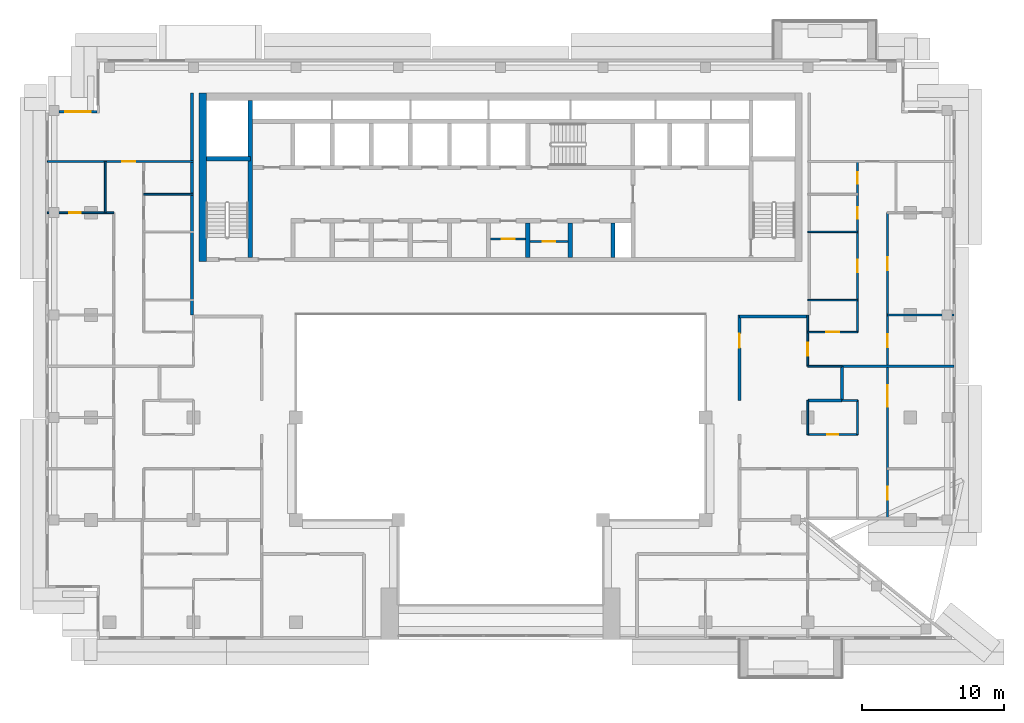
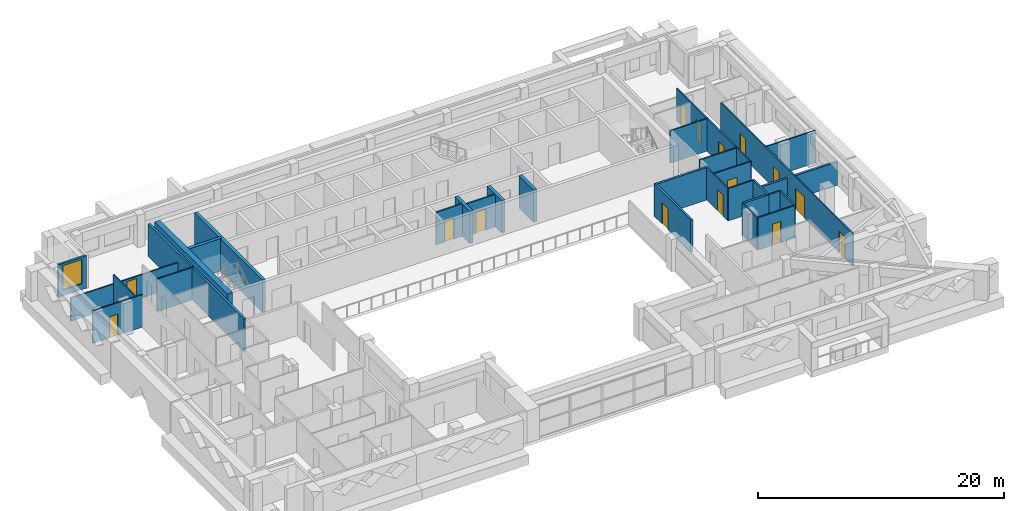
# One storey, part 9 of 19: 31 walls, 15 doors, 1 window, 16 openings.
"""IFC4 building model written with IfcOpenShell, lengths in metres."""

from ifc_helpers import new_model, si_unit, direction, frame, frame_2d, origin, place, context, subcontext, project, spatial, rectangle, extrude, material, layer, layer_set, type_object, element, fill, save


model = new_model("IFC4")

# Units and contexts
model_context = context("Model", 3, precision=1e-05, world=origin(), true_north=direction((0.0, 1.0)))
body_context = subcontext(model_context, "Body", "Model", "MODEL_VIEW")
ifc_project = project(units=[si_unit("LENGTHUNIT", "METRE"), si_unit("AREAUNIT", "SQUARE_METRE"), si_unit("VOLUMEUNIT", "CUBIC_METRE"), si_unit("PLANEANGLEUNIT", "RADIAN"), si_unit("MASSUNIT", "GRAM", prefix="KILO")], contexts=[model_context])

# Site, building, storey
site_placement = place(None, origin())
site = spatial("IfcSite", under=ifc_project, at=site_placement, CompositionType="ELEMENT")
building_placement = place(site_placement, origin())
building = spatial("IfcBuilding", under=site, at=building_placement, Name="Saffron Iwan Residences", CompositionType="ELEMENT")
storey_placement = place(building_placement, frame((0.0, 0.0, 215.0)))
storey = spatial("IfcBuildingStorey", under=building, at=storey_placement, Name="L57", CompositionType="ELEMENT", Elevation=215.0)

# Wall, opening, door
ifc_material_1 = material(Name="Fire-rated plasterboard partition")
ifc_layer_1 = layer(ifc_material_1, 0.14990234375)
ifc_layer_set_1 = layer_set([ifc_layer_1], Name="Fire-rated plasterboard partition")
wall_type_1 = type_object("IfcWallType", Name="Core partition 150", PredefinedType="PARTITIONING", material=ifc_layer_set_1)
wall_1_placement = place(storey_placement, frame((49.699951171875, 67.759521484375, 0.0), z_axis=(0.0, 0.0, 1.0), x_axis=(1.0, 0.0, 0.0)))
wall_1 = element("IfcWall", 1, at=wall_1_placement, inside=storey, type_object=wall_type_1, Name="Core partition P04", PredefinedType="PARTITIONING", context=body_context, shape_type="SweptSolid", body=[
    extrude(rectangle(XDim=2.449951171875, YDim=0.14990234375, at=frame_2d((1.22509765625, 0.0))), origin(), (0.0, 0.0, 1.0), 3.219970703125),
])
opening_1_placement = place(wall_1_placement, frame((0.77490234375, 0.0, 0.0)))
opening_1 = element("IfcOpeningElement", 2, at=opening_1_placement, cuts=wall_1, Name="Opening SB", PredefinedType="OPENING", context=body_context, shape_type="SweptSolid", body=[
    extrude(rectangle(XDim=0.89990234375, YDim=2.10009765625, at=frame_2d((0.449951171875, 1.050048828125))), frame((0.0, 0.0849609375, 0.0), z_axis=(0.0, -1.0, 0.0), x_axis=(1.0, 0.0, 0.0)), (0.0, 0.0, 1.0), 0.169921875),
])
ifc_material_2 = material(Name="Steel fire door", Category="steel")
door_type_1 = type_object("IfcDoorType", Name="Store door 900", OperationType="NOTDEFINED", PredefinedType="DOOR", material=ifc_material_2)
door_1_placement = place(opening_1_placement, origin())
door_1 = element("IfcDoor", 3, at=door_1_placement, inside=storey, type_object=door_type_1, Name="Door Equipment store", OperationType="SINGLE_SWING_RIGHT", OverallHeight=2.10009765625, OverallWidth=0.89990234375, PredefinedType="DOOR", context=body_context, shape_type="SweptSolid", body=[
    extrude(rectangle(XDim=0.89990234375, YDim=2.10009765625, at=frame_2d((0.449951171875, 1.050048828125))), frame((0.0, 0.02490234375, 0.0), z_axis=(0.0, -1.0, 0.0), x_axis=(1.0, 0.0, 0.0)), (0.0, 0.0, 1.0), 0.050048828125),
])
fill(opening_1, door_1)

wall_2_placement = place(storey_placement, frame((52.449951171875, 67.5654296875, 0.0), z_axis=(0.0, 0.0, 1.0), x_axis=(1.0, 0.0, 0.0)))
wall_2 = element("IfcWall", 4, at=wall_2_placement, inside=storey, type_object=wall_type_1, Name="Core partition P05", PredefinedType="PARTITIONING", context=body_context, shape_type="SweptSolid", body=[
    extrude(rectangle(XDim=2.699951171875, YDim=0.14990234375, at=frame_2d((1.35009765625, 0.0))), origin(), (0.0, 0.0, 1.0), 3.219970703125),
])
opening_2_placement = place(wall_2_placement, frame((0.89990234375, 0.0, 0.0)))
opening_2 = element("IfcOpeningElement", 5, at=opening_2_placement, cuts=wall_2, Name="Opening SB", PredefinedType="OPENING", context=body_context, shape_type="SweptSolid", body=[
    extrude(rectangle(XDim=0.89990234375, YDim=2.10009765625, at=frame_2d((0.449951171875, 1.050048828125))), frame((0.0, 0.0849609375, 0.0), z_axis=(0.0, -1.0, 0.0), x_axis=(1.0, 0.0, 0.0)), (0.0, 0.0, 1.0), 0.169921875),
])
door_2_placement = place(opening_2_placement, origin())
door_2 = element("IfcDoor", 6, at=door_2_placement, inside=storey, type_object=door_type_1, Name="Door Records store", OperationType="SINGLE_SWING_RIGHT", OverallHeight=2.10009765625, OverallWidth=0.89990234375, PredefinedType="DOOR", context=body_context, shape_type="SweptSolid", body=[
    extrude(rectangle(XDim=0.89990234375, YDim=2.10009765625, at=frame_2d((0.449951171875, 1.050048828125))), frame((0.0, 0.02490234375, 0.0), z_axis=(0.0, -1.0, 0.0), x_axis=(1.0, 0.0, 0.0)), (0.0, 0.0, 1.0), 0.050048828125),
])
fill(opening_2, door_2)

# Wall, opening, window
ifc_material_3 = material(Name="Concrete C40/50", Category="concrete")
ifc_layer_2 = layer(ifc_material_3, 0.199951171875)
ifc_layer_set_2 = layer_set([ifc_layer_2], Name="Concrete C40/50")
wall_type_2 = type_object("IfcWallType", Name="EXTERNAL WALL 200", PredefinedType="SOLIDWALL", material=ifc_layer_set_2)
wall_3_placement = place(storey_placement, frame((22.0, 76.699951171875, 0.0), z_axis=(0.0, 0.0, 1.0), x_axis=(-1.0, 0.0, 0.0)))
wall_3 = element("IfcWall", 7, at=wall_3_placement, inside=storey, type_object=wall_type_2, Name="External wall L57 F7.0", PredefinedType="SOLIDWALL", context=body_context, shape_type="SweptSolid", body=[
    extrude(rectangle(XDim=2.64990234375, YDim=0.199951171875, at=frame_2d((1.324951171875, 0.0))), origin(), (0.0, 0.0, 1.0), 3.219970703125),
])
opening_3_placement = place(wall_3_placement, frame((0.425048828125, 0.0, 0.60009765625)))
opening_3 = element("IfcOpeningElement", 8, at=opening_3_placement, cuts=wall_3, Name="Opening W8", PredefinedType="OPENING", context=body_context, shape_type="SweptSolid", body=[
    extrude(rectangle(XDim=1.800048828125, YDim=2.39990234375, at=frame_2d((0.89990234375, 1.199951171875))), frame((0.0, 0.10986328125, 0.0), z_axis=(0.0, -1.0, 0.0), x_axis=(1.0, 0.0, 0.0)), (0.0, 0.0, 1.0), 0.219970703125),
])
ifc_material_4 = material(Name="Clear glass, laminated double glazed", Category="glass")
window_type = type_object("IfcWindowType", Name="WINDOW 1800 x 2400", PartitioningType="DOUBLE_PANEL_VERTICAL", PredefinedType="WINDOW", material=ifc_material_4)
window_placement = place(opening_3_placement, origin())
window = element("IfcWindow", 9, at=window_placement, inside=storey, type_object=window_type, Name="Window L57 F7.0", OverallHeight=2.39990234375, OverallWidth=1.800048828125, PartitioningType="DOUBLE_PANEL_VERTICAL", PredefinedType="WINDOW", context=body_context, shape_type="SweptSolid", body=[
    extrude(rectangle(XDim=1.800048828125, YDim=2.39990234375, at=frame_2d((0.89990234375, 1.199951171875))), frame((0.0, 0.030029296875, 0.0), z_axis=(0.0, -1.0, 0.0), x_axis=(1.0, 0.0, 0.0)), (0.0, 0.0, 1.0), 0.06005859375),
])
fill(opening_3, window)

# Walls
ifc_material_5 = material(Name="Fire-rated gypsum board wall")
ifc_layer_3 = layer(ifc_material_5, 0.199951171875)
ifc_layer_set_3 = layer_set([ifc_layer_3], Name="Fire-rated gypsum board wall")
wall_type_3 = type_object("IfcWallType", Name="Flat demising wall 200", PredefinedType="SOLIDWALL", material=ifc_layer_set_3)
wall_4_placement = place(storey_placement, frame((72.0, 56.39990234375, 0.0), z_axis=(0.0, 0.0, 1.0), x_axis=(1.0, 0.0, 0.0)))
element("IfcWall", 10, at=wall_4_placement, inside=storey, type_object=wall_type_3, Name="W-L57-DEMISE-h56.4-72", PredefinedType="SOLIDWALL", context=body_context, shape_type="SweptSolid", body=[
    extrude(rectangle(XDim=2.39990234375, YDim=0.199951171875, at=frame_2d((1.199951171875, 0.0))), origin(), (0.0, 0.0, 1.0), 3.219970703125),
])
wall_5_placement = place(storey_placement, frame((74.39990234375, 58.800048828125, 0.0), z_axis=(0.0, 0.0, 1.0), x_axis=(1.0, 0.0, 0.0)))
element("IfcWall", 11, at=wall_5_placement, inside=storey, type_object=wall_type_3, Name="W-L57-DEMISE-h58.8-74.4", PredefinedType="SOLIDWALL", context=body_context, shape_type="SweptSolid", body=[
    extrude(rectangle(XDim=7.875, YDim=0.199951171875, at=frame_2d((3.9375, 0.0))), origin(), (0.0, 0.0, 1.0), 2.320068359375),
])
wall_6_placement = place(storey_placement, frame((74.39990234375, 56.39990234375, 0.0), z_axis=(0.0, 0.0, 1.0), x_axis=(0.0, 1.0, 0.0)))
element("IfcWall", 12, at=wall_6_placement, inside=storey, type_object=wall_type_3, Name="W-L57-DEMISE-v74.4-56.4", PredefinedType="SOLIDWALL", context=body_context, shape_type="SweptSolid", body=[
    extrude(rectangle(XDim=2.400146484375, YDim=0.199951171875, at=frame_2d((1.2001953125, 0.0))), origin(), (0.0, 0.0, 1.0), 3.219970703125),
])

# Wall, opening, door
ifc_material_6 = material(Name="Gypsum board partition")
ifc_layer_4 = layer(ifc_material_6, 0.1201171875)
ifc_layer_set_4 = layer_set([ifc_layer_4], Name="Gypsum board partition")
wall_type_4 = type_object("IfcWallType", Name="Flat partition 120", PredefinedType="PARTITIONING", material=ifc_layer_set_4)
wall_7_placement = place(storey_placement, frame((72.0, 54.0, 0.0), z_axis=(0.0, 0.0, 1.0), x_axis=(1.0, 0.0, 0.0)))
wall_7 = element("IfcWall", 13, at=wall_7_placement, inside=storey, type_object=wall_type_4, Name="W-L57-PART-h54-72", PredefinedType="PARTITIONING", context=body_context, shape_type="SweptSolid", body=[
    extrude(rectangle(XDim=3.5, YDim=0.1201171875, at=frame_2d((1.75, 0.0))), origin(), (0.0, 0.0, 1.0), 3.219970703125),
])
opening_4_placement = place(wall_7_placement, frame((1.35009765625, 0.0, 0.0)))
opening_4 = element("IfcOpeningElement", 14, at=opening_4_placement, cuts=wall_7, Name="Opening FD3", PredefinedType="OPENING", context=body_context, shape_type="SweptSolid", body=[
    extrude(rectangle(XDim=0.800048828125, YDim=2.10009765625, at=frame_2d((0.39990234375, 1.050048828125))), frame((0.0, 0.070068359375, 0.0), z_axis=(0.0, -1.0, 0.0), x_axis=(1.0, 0.0, 0.0)), (0.0, 0.0, 1.0), 0.14013671875),
])
ifc_material_7 = material(Name="Timber door", Category="wood")
door_type_2 = type_object("IfcDoorType", Name="Bathroom door 800", OperationType="NOTDEFINED", PredefinedType="DOOR", material=ifc_material_7)
door_3_placement = place(opening_4_placement, origin())
door_3 = element("IfcDoor", 15, at=door_3_placement, inside=storey, type_object=door_type_2, Name="Door L57-018", OperationType="SINGLE_SWING_LEFT", OverallHeight=2.10009765625, OverallWidth=0.800048828125, PredefinedType="DOOR", context=body_context, shape_type="SweptSolid", body=[
    extrude(rectangle(XDim=0.800048828125, YDim=2.10009765625, at=frame_2d((0.39990234375, 1.050048828125))), frame((0.0, 0.02490234375, 0.0), z_axis=(0.0, -1.0, 0.0), x_axis=(1.0, 0.0, 0.0)), (0.0, 0.0, 1.0), 0.050048828125),
])
fill(opening_4, door_3)

# Walls
wall_8_placement = place(storey_placement, frame((74.39990234375, 56.39990234375, 0.0), z_axis=(0.0, 0.0, 1.0), x_axis=(1.0, 0.0, 0.0)))
element("IfcWall", 16, at=wall_8_placement, inside=storey, type_object=wall_type_4, Name="W-L57-PART-h56.4-74.4", PredefinedType="PARTITIONING", context=body_context, shape_type="SweptSolid", body=[
    extrude(rectangle(XDim=1.10009765625, YDim=0.1201171875, at=frame_2d((0.550048828125, 0.0))), origin(), (0.0, 0.0, 1.0), 3.219970703125),
])
wall_9_placement = place(storey_placement, frame((72.0, 58.800048828125, 0.0), z_axis=(0.0, 0.0, 1.0), x_axis=(1.0, 0.0, 0.0)))
element("IfcWall", 17, at=wall_9_placement, inside=storey, type_object=wall_type_4, Name="W-L57-PART-h58.8-72", PredefinedType="PARTITIONING", context=body_context, shape_type="SweptSolid", body=[
    extrude(rectangle(XDim=2.39990234375, YDim=0.1201171875, at=frame_2d((1.199951171875, 0.0))), origin(), (0.0, 0.0, 1.0), 3.219970703125),
])

# Wall, opening, door
wall_10_placement = place(storey_placement, frame((72.0, 61.199951171875, 0.0), z_axis=(0.0, 0.0, 1.0), x_axis=(1.0, 0.0, 0.0)))
wall_10 = element("IfcWall", 18, at=wall_10_placement, inside=storey, type_object=wall_type_4, Name="W-L57-PART-h61.2-72", PredefinedType="PARTITIONING", context=body_context, shape_type="SweptSolid", body=[
    extrude(rectangle(XDim=3.5, YDim=0.1201171875, at=frame_2d((1.75, 0.0))), origin(), (0.0, 0.0, 1.0), 3.219970703125),
])
opening_5_placement = place(wall_10_placement, frame((1.300048828125, 0.0, 0.0)))
opening_5 = element("IfcOpeningElement", 19, at=opening_5_placement, cuts=wall_10, Name="Opening FD2", PredefinedType="OPENING", context=body_context, shape_type="SweptSolid", body=[
    extrude(rectangle(XDim=0.89990234375, YDim=2.10009765625, at=frame_2d((0.449951171875, 1.050048828125))), frame((0.0, 0.070068359375, 0.0), z_axis=(0.0, -1.0, 0.0), x_axis=(1.0, 0.0, 0.0)), (0.0, 0.0, 1.0), 0.14013671875),
])
door_type_3 = type_object("IfcDoorType", Name="Flat door 900", OperationType="NOTDEFINED", PredefinedType="DOOR", material=ifc_material_7)
door_4_placement = place(opening_5_placement, origin())
door_4 = element("IfcDoor", 20, at=door_4_placement, inside=storey, type_object=door_type_3, Name="Door L57-036", OperationType="SINGLE_SWING_LEFT", OverallHeight=2.10009765625, OverallWidth=0.89990234375, PredefinedType="DOOR", context=body_context, shape_type="SweptSolid", body=[
    extrude(rectangle(XDim=0.89990234375, YDim=2.10009765625, at=frame_2d((0.449951171875, 1.050048828125))), frame((0.0, 0.02490234375, 0.0), z_axis=(0.0, -1.0, 0.0), x_axis=(1.0, 0.0, 0.0)), (0.0, 0.0, 1.0), 0.050048828125),
])
fill(opening_5, door_4)

# Walls
wall_11_placement = place(storey_placement, frame((77.60009765625, 62.39990234375, 0.0), z_axis=(0.0, 0.0, 1.0), x_axis=(1.0, 0.0, 0.0)))
element("IfcWall", 21, at=wall_11_placement, inside=storey, type_object=wall_type_4, Name="W-L57-PART-h62.4-77.6", PredefinedType="PARTITIONING", context=body_context, shape_type="SweptSolid", body=[
    extrude(rectangle(XDim=4.6748046875, YDim=0.1201171875, at=frame_2d((2.33740234375, 0.0))), origin(), (0.0, 0.0, 1.0), 3.219970703125),
])
for number, where, z_axis, x_axis, name in (
    (22, (72.0, 63.449951171875, 0.0), (0.0, 0.0, 1.0), (1.0, 0.0, 0.0), "W-L57-PART-h63.45-72"),
    (23, (72.0, 68.25, 0.0), (0.0, 0.0, 1.0), (1.0, 0.0, 0.0), "W-L57-PART-h68.25-72"),
):
    element("IfcWall", number, at=place(storey_placement, frame(where, z_axis=z_axis, x_axis=x_axis)), inside=storey, type_object=wall_type_4, Name=name, PredefinedType="PARTITIONING", context=body_context, shape_type="SweptSolid", body=[
        extrude(rectangle(XDim=3.5, YDim=0.1201171875, at=frame_2d((1.75, 0.0))), origin(), (0.0, 0.0, 1.0), 3.219970703125),
    ])

# Wall, opening, door
wall_12_placement = place(storey_placement, frame((18.52490234375, 69.60009765625, 0.0), z_axis=(0.0, 0.0, 1.0), x_axis=(1.0, 0.0, 0.0)))
wall_12 = element("IfcWall", 24, at=wall_12_placement, inside=storey, type_object=wall_type_4, Name="W-L57-PART-h69.6-18.525", PredefinedType="PARTITIONING", context=body_context, shape_type="SweptSolid", body=[
    extrude(rectangle(XDim=4.675048828125, YDim=0.1201171875, at=frame_2d((2.33740234375, 0.0))), origin(), (0.0, 0.0, 1.0), 3.219970703125),
])
opening_6_placement = place(wall_12_placement, frame((1.53759765625, 0.0, 0.0)))
opening_6 = element("IfcOpeningElement", 25, at=opening_6_placement, cuts=wall_12, Name="Opening FD3", PredefinedType="OPENING", context=body_context, shape_type="SweptSolid", body=[
    extrude(rectangle(XDim=0.800048828125, YDim=2.10009765625, at=frame_2d((0.39990234375, 1.050048828125))), frame((0.0, 0.070068359375, 0.0), z_axis=(0.0, -1.0, 0.0), x_axis=(1.0, 0.0, 0.0)), (0.0, 0.0, 1.0), 0.14013671875),
])
door_5_placement = place(opening_6_placement, origin())
door_5 = element("IfcDoor", 26, at=door_5_placement, inside=storey, type_object=door_type_2, Name="Door L57-024", OperationType="SINGLE_SWING_RIGHT", OverallHeight=2.10009765625, OverallWidth=0.800048828125, PredefinedType="DOOR", context=body_context, shape_type="SweptSolid", body=[
    extrude(rectangle(XDim=0.800048828125, YDim=2.10009765625, at=frame_2d((0.39990234375, 1.050048828125))), frame((0.0, 0.02490234375, 0.0), z_axis=(0.0, -1.0, 0.0), x_axis=(1.0, 0.0, 0.0)), (0.0, 0.0, 1.0), 0.050048828125),
])
fill(opening_6, door_5)

# Wall
wall_13_placement = place(storey_placement, frame((25.300048828125, 70.89990234375, 0.0), z_axis=(0.0, 0.0, 1.0), x_axis=(1.0, 0.0, 0.0)))
element("IfcWall", 27, at=wall_13_placement, inside=storey, type_object=wall_type_4, Name="W-L57-PART-h70.9-25.3", PredefinedType="PARTITIONING", context=body_context, shape_type="SweptSolid", body=[
    extrude(rectangle(XDim=3.5, YDim=0.1201171875, at=frame_2d((1.75, 0.0))), origin(), (0.0, 0.0, 1.0), 3.219970703125),
])

# Wall, opening, door
wall_14_placement = place(storey_placement, frame((18.52490234375, 73.199951171875, 0.0), z_axis=(0.0, 0.0, 1.0), x_axis=(1.0, 0.0, 0.0)))
wall_14 = element("IfcWall", 28, at=wall_14_placement, inside=storey, type_object=wall_type_4, Name="W-L57-PART-h73.2-18.525", PredefinedType="PARTITIONING", context=body_context, shape_type="SweptSolid", body=[
    extrude(rectangle(XDim=10.275146484375, YDim=0.1201171875, at=frame_2d((5.1376953125, 0.0))), origin(), (0.0, 0.0, 1.0), 2.320068359375),
])
opening_7_placement = place(wall_14_placement, frame((5.27490234375, 0.0, 0.0)))
opening_7 = element("IfcOpeningElement", 29, at=opening_7_placement, cuts=wall_14, Name="Opening FD2", PredefinedType="OPENING", context=body_context, shape_type="SweptSolid", body=[
    extrude(rectangle(XDim=0.89990234375, YDim=2.10009765625, at=frame_2d((0.449951171875, 1.050048828125))), frame((0.0, 0.070068359375, 0.0), z_axis=(0.0, -1.0, 0.0), x_axis=(1.0, 0.0, 0.0)), (0.0, 0.0, 1.0), 0.14013671875),
])
door_6_placement = place(opening_7_placement, origin())
door_6 = element("IfcDoor", 30, at=door_6_placement, inside=storey, type_object=door_type_3, Name="Door L57-025", OperationType="SINGLE_SWING_RIGHT", OverallHeight=2.10009765625, OverallWidth=0.89990234375, PredefinedType="DOOR", context=body_context, shape_type="SweptSolid", body=[
    extrude(rectangle(XDim=0.89990234375, YDim=2.10009765625, at=frame_2d((0.449951171875, 1.050048828125))), frame((0.0, 0.02490234375, 0.0), z_axis=(0.0, -1.0, 0.0), x_axis=(1.0, 0.0, 0.0)), (0.0, 0.0, 1.0), 0.050048828125),
])
fill(opening_7, door_6)

# Walls
wall_15_placement = place(storey_placement, frame((22.60009765625, 69.60009765625, 0.0), z_axis=(0.0, 0.0, 1.0), x_axis=(0.0, 1.0, 0.0)))
element("IfcWall", 31, at=wall_15_placement, inside=storey, type_object=wall_type_4, Name="W-L57-PART-v22.6-69.6", PredefinedType="PARTITIONING", context=body_context, shape_type="SweptSolid", body=[
    extrude(rectangle(XDim=3.599853515625, YDim=0.1201171875, at=frame_2d((1.7998046875, 0.0))), origin(), (0.0, 0.0, 1.0), 3.219970703125),
])
wall_16_placement = place(storey_placement, frame((72.0, 54.0, 0.0), z_axis=(0.0, 0.0, 1.0), x_axis=(0.0, 1.0, 0.0)))
element("IfcWall", 32, at=wall_16_placement, inside=storey, type_object=wall_type_4, Name="W-L57-PART-v72-54", PredefinedType="PARTITIONING", context=body_context, shape_type="SweptSolid", body=[
    extrude(rectangle(XDim=2.39990234375, YDim=0.1201171875, at=frame_2d((1.199951171875, 0.0))), origin(), (0.0, 0.0, 1.0), 3.219970703125),
])

# Wall, opening, door
wall_17_placement = place(storey_placement, frame((72.0, 58.800048828125, 0.0), z_axis=(0.0, 0.0, 1.0), x_axis=(0.0, 1.0, 0.0)))
wall_17 = element("IfcWall", 33, at=wall_17_placement, inside=storey, type_object=wall_type_4, Name="W-L57-PART-v72-58.8", PredefinedType="PARTITIONING", context=body_context, shape_type="SweptSolid", body=[
    extrude(rectangle(XDim=3.599853515625, YDim=0.1201171875, at=frame_2d((1.7998046875, 0.0))), origin(), (0.0, 0.0, 1.0), 3.219970703125),
])
opening_8_placement = place(wall_17_placement, frame((0.75, 0.0, 0.0)))
opening_8 = element("IfcOpeningElement", 34, at=opening_8_placement, cuts=wall_17, Name="Opening FD2", PredefinedType="OPENING", context=body_context, shape_type="SweptSolid", body=[
    extrude(rectangle(XDim=0.89990234375, YDim=2.10009765625, at=frame_2d((0.449951171875, 1.050048828125))), frame((0.0, 0.070068359375, 0.0), z_axis=(0.0, -1.0, 0.0), x_axis=(1.0, 0.0, 0.0)), (0.0, 0.0, 1.0), 0.14013671875),
])
door_7_placement = place(opening_8_placement, origin())
door_7 = element("IfcDoor", 35, at=door_7_placement, inside=storey, type_object=door_type_3, Name="Door L57-030", OperationType="SINGLE_SWING_LEFT", OverallHeight=2.10009765625, OverallWidth=0.89990234375, PredefinedType="DOOR", context=body_context, shape_type="SweptSolid", body=[
    extrude(rectangle(XDim=0.89990234375, YDim=2.10009765625, at=frame_2d((0.449951171875, 1.050048828125))), frame((0.0, 0.02490234375, 0.0), z_axis=(0.0, -1.0, 0.0), x_axis=(1.0, 0.0, 0.0)), (0.0, 0.0, 1.0), 0.050048828125),
])
fill(opening_8, door_7)

# Wall
wall_18_placement = place(storey_placement, frame((75.5, 54.0, 0.0), z_axis=(0.0, 0.0, 1.0), x_axis=(0.0, 1.0, 0.0)))
element("IfcWall", 36, at=wall_18_placement, inside=storey, type_object=wall_type_4, Name="W-L57-PART-v75.5-54", PredefinedType="PARTITIONING", context=body_context, shape_type="SweptSolid", body=[
    extrude(rectangle(XDim=2.39990234375, YDim=0.1201171875, at=frame_2d((1.199951171875, 0.0))), origin(), (0.0, 0.0, 1.0), 3.219970703125),
])

# Wall, openings, doors
wall_19_placement = place(storey_placement, frame((75.5, 61.199951171875, 0.0), z_axis=(0.0, 0.0, 1.0), x_axis=(0.0, 1.0, 0.0)))
wall_19 = element("IfcWall", 37, at=wall_19_placement, inside=storey, type_object=wall_type_4, Name="W-L57-PART-v75.5-61.2", PredefinedType="PARTITIONING", context=body_context, shape_type="SweptSolid", body=[
    extrude(rectangle(XDim=12.0, YDim=0.1201171875, at=frame_2d((6.0, 0.0))), origin(), (0.0, 0.0, 1.0), 3.219970703125),
])
opening_9_placement = place(wall_19_placement, frame((4.199951171875, 0.0, 0.0)))
opening_9 = element("IfcOpeningElement", 38, at=opening_9_placement, cuts=wall_19, Name="Opening FD2", PredefinedType="OPENING", context=body_context, shape_type="SweptSolid", body=[
    extrude(rectangle(XDim=0.89990234375, YDim=2.10009765625, at=frame_2d((0.449951171875, 1.050048828125))), frame((0.0, 0.070068359375, 0.0), z_axis=(0.0, -1.0, 0.0), x_axis=(1.0, 0.0, 0.0)), (0.0, 0.0, 1.0), 0.14013671875),
])
opening_10_placement = place(wall_19_placement, frame((7.97509765625, 0.0, 0.0)))
opening_10 = element("IfcOpeningElement", 39, at=opening_10_placement, cuts=wall_19, Name="Opening FD3", PredefinedType="OPENING", context=body_context, shape_type="SweptSolid", body=[
    extrude(rectangle(XDim=0.800048828125, YDim=2.10009765625, at=frame_2d((0.39990234375, 1.050048828125))), frame((0.0, 0.070068359375, 0.0), z_axis=(0.0, -1.0, 0.0), x_axis=(1.0, 0.0, 0.0)), (0.0, 0.0, 1.0), 0.14013671875),
])
opening_11_placement = place(wall_19_placement, frame((10.449951171875, 0.0, 0.0)))
opening_11 = element("IfcOpeningElement", 40, at=opening_11_placement, cuts=wall_19, Name="Opening FD3", PredefinedType="OPENING", context=body_context, shape_type="SweptSolid", body=[
    extrude(rectangle(XDim=0.800048828125, YDim=2.10009765625, at=frame_2d((0.39990234375, 1.050048828125))), frame((0.0, 0.070068359375, 0.0), z_axis=(0.0, -1.0, 0.0), x_axis=(1.0, 0.0, 0.0)), (0.0, 0.0, 1.0), 0.14013671875),
])
door_8_placement = place(opening_10_placement, origin())
door_8 = element("IfcDoor", 41, at=door_8_placement, inside=storey, type_object=door_type_2, Name="Door L57-038", OperationType="SINGLE_SWING_LEFT", OverallHeight=2.10009765625, OverallWidth=0.800048828125, PredefinedType="DOOR", context=body_context, shape_type="SweptSolid", body=[
    extrude(rectangle(XDim=0.800048828125, YDim=2.10009765625, at=frame_2d((0.39990234375, 1.050048828125))), frame((0.0, 0.02490234375, 0.0), z_axis=(0.0, -1.0, 0.0), x_axis=(1.0, 0.0, 0.0)), (0.0, 0.0, 1.0), 0.050048828125),
])
fill(opening_10, door_8)
door_9_placement = place(opening_11_placement, origin())
door_9 = element("IfcDoor", 42, at=door_9_placement, inside=storey, type_object=door_type_2, Name="Door L57-039", OperationType="SINGLE_SWING_LEFT", OverallHeight=2.10009765625, OverallWidth=0.800048828125, PredefinedType="DOOR", context=body_context, shape_type="SweptSolid", body=[
    extrude(rectangle(XDim=0.800048828125, YDim=2.10009765625, at=frame_2d((0.39990234375, 1.050048828125))), frame((0.0, 0.02490234375, 0.0), z_axis=(0.0, -1.0, 0.0), x_axis=(1.0, 0.0, 0.0)), (0.0, 0.0, 1.0), 0.050048828125),
])
fill(opening_11, door_9)
door_10_placement = place(opening_9_placement, origin())
door_10 = element("IfcDoor", 43, at=door_10_placement, inside=storey, type_object=door_type_3, Name="Door L57-037", OperationType="SINGLE_SWING_RIGHT", OverallHeight=2.10009765625, OverallWidth=0.89990234375, PredefinedType="DOOR", context=body_context, shape_type="SweptSolid", body=[
    extrude(rectangle(XDim=0.89990234375, YDim=2.10009765625, at=frame_2d((0.449951171875, 1.050048828125))), frame((0.0, 0.02490234375, 0.0), z_axis=(0.0, -1.0, 0.0), x_axis=(1.0, 0.0, 0.0)), (0.0, 0.0, 1.0), 0.050048828125),
])
fill(opening_9, door_10)

wall_20_placement = place(storey_placement, frame((77.60009765625, 48.125, 0.0), z_axis=(0.0, 0.0, 1.0), x_axis=(0.0, 1.0, 0.0)))
wall_20 = element("IfcWall", 44, at=wall_20_placement, inside=storey, type_object=wall_type_4, Name="W-L57-PART-v77.6-48.125", PredefinedType="PARTITIONING", context=body_context, shape_type="SweptSolid", body=[
    extrude(rectangle(XDim=21.47509765625, YDim=0.1201171875, at=frame_2d((10.737548828125, 0.0))), origin(), (0.0, 0.0, 1.0), 3.219970703125),
])
opening_12_placement = place(wall_20_placement, frame((1.28759765625, 0.0, 0.0)))
opening_12 = element("IfcOpeningElement", 45, at=opening_12_placement, cuts=wall_20, Name="Opening FD2", PredefinedType="OPENING", context=body_context, shape_type="SweptSolid", body=[
    extrude(rectangle(XDim=0.89990234375, YDim=2.10009765625, at=frame_2d((0.449951171875, 1.050048828125))), frame((0.0, 0.070068359375, 0.0), z_axis=(0.0, -1.0, 0.0), x_axis=(1.0, 0.0, 0.0)), (0.0, 0.0, 1.0), 0.14013671875),
])
opening_13_placement = place(wall_20_placement, frame((7.824951171875, 0.0, 0.0)))
opening_13 = element("IfcOpeningElement", 46, at=opening_13_placement, cuts=wall_20, Name="Opening FD4", PredefinedType="OPENING", context=body_context, shape_type="SweptSolid", body=[
    extrude(rectangle(XDim=1.5, YDim=2.10009765625, at=frame_2d((0.75, 1.050048828125))), frame((0.0, 0.070068359375, 0.0), z_axis=(0.0, -1.0, 0.0), x_axis=(1.0, 0.0, 0.0)), (0.0, 0.0, 1.0), 0.14013671875),
])
opening_14_placement = place(wall_20_placement, frame((12.02490234375, 0.0, 0.0)))
opening_14 = element("IfcOpeningElement", 47, at=opening_14_placement, cuts=wall_20, Name="Opening FD2", PredefinedType="OPENING", context=body_context, shape_type="SweptSolid", body=[
    extrude(rectangle(XDim=0.89990234375, YDim=2.10009765625, at=frame_2d((0.449951171875, 1.050048828125))), frame((0.0, 0.070068359375, 0.0), z_axis=(0.0, -1.0, 0.0), x_axis=(1.0, 0.0, 0.0)), (0.0, 0.0, 1.0), 0.14013671875),
])
opening_15_placement = place(wall_20_placement, frame((17.425048828125, 0.0, 0.0)))
opening_15 = element("IfcOpeningElement", 48, at=opening_15_placement, cuts=wall_20, Name="Opening FD2", PredefinedType="OPENING", context=body_context, shape_type="SweptSolid", body=[
    extrude(rectangle(XDim=0.89990234375, YDim=2.10009765625, at=frame_2d((0.449951171875, 1.050048828125))), frame((0.0, 0.070068359375, 0.0), z_axis=(0.0, -1.0, 0.0), x_axis=(1.0, 0.0, 0.0)), (0.0, 0.0, 1.0), 0.14013671875),
])
door_type_4 = type_object("IfcDoorType", Name="Double door 1500", OperationType="NOTDEFINED", PredefinedType="DOOR", material=ifc_material_7)
door_11_placement = place(opening_13_placement, origin())
door_11 = element("IfcDoor", 49, at=door_11_placement, inside=storey, type_object=door_type_4, Name="Door L57-016", OperationType="SINGLE_SWING_LEFT", OverallHeight=2.10009765625, OverallWidth=1.5, PredefinedType="DOOR", context=body_context, shape_type="SweptSolid", body=[
    extrude(rectangle(XDim=1.5, YDim=2.10009765625, at=frame_2d((0.75, 1.050048828125))), frame((0.0, 0.02490234375, 0.0), z_axis=(0.0, -1.0, 0.0), x_axis=(1.0, 0.0, 0.0)), (0.0, 0.0, 1.0), 0.050048828125),
])
fill(opening_13, door_11)
door_12_placement = place(opening_12_placement, origin())
door_12 = element("IfcDoor", 50, at=door_12_placement, inside=storey, type_object=door_type_3, Name="Door L57-015", OperationType="SINGLE_SWING_LEFT", OverallHeight=2.10009765625, OverallWidth=0.89990234375, PredefinedType="DOOR", context=body_context, shape_type="SweptSolid", body=[
    extrude(rectangle(XDim=0.89990234375, YDim=2.10009765625, at=frame_2d((0.449951171875, 1.050048828125))), frame((0.0, 0.02490234375, 0.0), z_axis=(0.0, -1.0, 0.0), x_axis=(1.0, 0.0, 0.0)), (0.0, 0.0, 1.0), 0.050048828125),
])
fill(opening_12, door_12)
door_13_placement = place(opening_14_placement, origin())
door_13 = element("IfcDoor", 51, at=door_13_placement, inside=storey, type_object=door_type_3, Name="Door L57-032", OperationType="SINGLE_SWING_LEFT", OverallHeight=2.10009765625, OverallWidth=0.89990234375, PredefinedType="DOOR", context=body_context, shape_type="SweptSolid", body=[
    extrude(rectangle(XDim=0.89990234375, YDim=2.10009765625, at=frame_2d((0.449951171875, 1.050048828125))), frame((0.0, 0.02490234375, 0.0), z_axis=(0.0, -1.0, 0.0), x_axis=(1.0, 0.0, 0.0)), (0.0, 0.0, 1.0), 0.050048828125),
])
fill(opening_14, door_13)
door_14_placement = place(opening_15_placement, origin())
door_14 = element("IfcDoor", 52, at=door_14_placement, inside=storey, type_object=door_type_3, Name="Door L57-033", OperationType="SINGLE_SWING_LEFT", OverallHeight=2.10009765625, OverallWidth=0.89990234375, PredefinedType="DOOR", context=body_context, shape_type="SweptSolid", body=[
    extrude(rectangle(XDim=0.89990234375, YDim=2.10009765625, at=frame_2d((0.449951171875, 1.050048828125))), frame((0.0, 0.02490234375, 0.0), z_axis=(0.0, -1.0, 0.0), x_axis=(1.0, 0.0, 0.0)), (0.0, 0.0, 1.0), 0.050048828125),
])
fill(opening_15, door_14)

# Walls
ifc_layer_5 = layer(ifc_material_5, 0.199951171875)
ifc_layer_set_5 = layer_set([ifc_layer_5], Name="Fire-rated gypsum board wall")
wall_type_5 = type_object("IfcWallType", Name="Gallery wall 200", PredefinedType="SOLIDWALL", material=ifc_layer_set_5)
wall_21_placement = place(storey_placement, frame((67.199951171875, 62.300048828125, 0.0), z_axis=(0.0, 0.0, 1.0), x_axis=(1.0, 0.0, 0.0)))
element("IfcWall", 53, at=wall_21_placement, inside=storey, type_object=wall_type_5, Name="W-L57-CORR-h62.4-67.2", PredefinedType="SOLIDWALL", context=body_context, shape_type="SweptSolid", body=[
    extrude(rectangle(XDim=4.800048828125, YDim=0.199951171875, at=frame_2d((2.39990234375, 0.0))), origin(), (0.0, 0.0, 1.0), 3.219970703125),
])
wall_22_placement = place(storey_placement, frame((28.699951171875, 62.39990234375, 0.0), z_axis=(0.0, 0.0, 1.0), x_axis=(0.0, 1.0, 0.0)))
element("IfcWall", 54, at=wall_22_placement, inside=storey, type_object=wall_type_5, Name="W-L57-CORR-v28.8-62.4", PredefinedType="SOLIDWALL", context=body_context, shape_type="SweptSolid", body=[
    extrude(rectangle(XDim=15.60009765625, YDim=0.199951171875, at=frame_2d((7.800048828125, 0.0))), origin(), (0.0, 0.0, 1.0), 3.219970703125),
])

# Wall, opening, door
wall_23_placement = place(storey_placement, frame((67.199951171875, 56.39990234375, 0.0), z_axis=(0.0, 0.0, 1.0), x_axis=(0.0, 1.0, 0.0)))
wall_23 = element("IfcWall", 55, at=wall_23_placement, inside=storey, type_object=wall_type_5, Name="W-L57-CORR-v67.2-56.4", PredefinedType="SOLIDWALL", context=body_context, shape_type="SweptSolid", body=[
    extrude(rectangle(XDim=6.0, YDim=0.199951171875, at=frame_2d((3.0, 0.0))), origin(), (0.0, 0.0, 1.0), 3.219970703125),
])
opening_16_placement = place(wall_23_placement, frame((3.699951171875, 0.0, 0.0)))
opening_16 = element("IfcOpeningElement", 56, at=opening_16_placement, cuts=wall_23, Name="Opening FD5", PredefinedType="OPENING", context=body_context, shape_type="SweptSolid", body=[
    extrude(rectangle(XDim=1.0, YDim=2.10009765625, at=frame_2d((0.5, 1.050048828125))), frame((0.0, 0.10986328125, 0.0), z_axis=(0.0, -1.0, 0.0), x_axis=(1.0, 0.0, 0.0)), (0.0, 0.0, 1.0), 0.219970703125),
])
ifc_material_8 = material(Name="Fire-rated timber door", Category="wood")
door_type_5 = type_object("IfcDoorType", Name="Lobby door 1000", OperationType="NOTDEFINED", PredefinedType="DOOR", material=ifc_material_8)
door_15_placement = place(opening_16_placement, origin())
door_15 = element("IfcDoor", 57, at=door_15_placement, inside=storey, type_object=door_type_5, Name="Door L57-031", OperationType="SINGLE_SWING_RIGHT", OverallHeight=2.10009765625, OverallWidth=1.0, PredefinedType="DOOR", context=body_context, shape_type="SweptSolid", body=[
    extrude(rectangle(XDim=1.0, YDim=2.10009765625, at=frame_2d((0.5, 1.050048828125))), frame((0.0, 0.02490234375, 0.0), z_axis=(0.0, -1.0, 0.0), x_axis=(1.0, 0.0, 0.0)), (0.0, 0.0, 1.0), 0.050048828125),
])
fill(opening_16, door_15)

# Walls
ifc_layer_6 = layer(ifc_material_3, 0.300048828125)
ifc_layer_set_6 = layer_set([ifc_layer_6], Name="Concrete C40/50")
wall_type_6 = type_object("IfcWallType", Name="WALL CORE 300 C40/50 3220 HIGH", PredefinedType="SHEAR", material=ifc_layer_set_6)
wall_24_placement = place(storey_placement, frame((29.699951171875, 73.39990234375, 0.0), z_axis=(0.0, 0.0, 1.0), x_axis=(1.0, 0.0, 0.0)))
element("IfcWall", 58, at=wall_24_placement, inside=storey, type_object=wall_type_6, Name="Core wall", PredefinedType="SHEAR", context=body_context, shape_type="SweptSolid", body=[
    extrude(rectangle(XDim=3.10009765625, YDim=0.300048828125, at=frame_2d((1.550048828125, 0.0))), origin(), (0.0, 0.0, 1.0), 3.219970703125),
])
wall_25_placement = place(storey_placement, frame((32.800048828125, 66.449951171875, 0.0), z_axis=(0.0, 0.0, 1.0), x_axis=(0.0, 1.0, 0.0)))
element("IfcWall", 59, at=wall_25_placement, inside=storey, type_object=wall_type_6, Name="Core wall", PredefinedType="SHEAR", context=body_context, shape_type="SweptSolid", body=[
    extrude(rectangle(XDim=11.050048828125, YDim=0.300048828125, at=frame_2d((5.52490234375, 0.0))), origin(), (0.0, 0.0, 1.0), 3.219970703125),
])
for number, where, z_axis, x_axis, name in (
    (60, (52.300048828125, 66.449951171875, 0.0), (0.0, 0.0, 1.0), (0.0, 1.0, 0.0), "Core wall"),
    (61, (55.300048828125, 66.449951171875, 0.0), (0.0, 0.0, 1.0), (0.0, 1.0, 0.0), "Core wall"),
    (62, (58.300048828125, 66.449951171875, 0.0), (0.0, 0.0, 1.0), (0.0, 1.0, 0.0), "Core wall"),
):
    element("IfcWall", number, at=place(storey_placement, frame(where, z_axis=z_axis, x_axis=x_axis)), inside=storey, type_object=wall_type_6, Name=name, PredefinedType="SHEAR", context=body_context, shape_type="SweptSolid", body=[
        extrude(rectangle(XDim=2.425048828125, YDim=0.300048828125, at=frame_2d((1.21240234375, 0.0))), origin(), (0.0, 0.0, 1.0), 3.219970703125),
    ])
ifc_layer_7 = layer(ifc_material_3, 0.5)
ifc_layer_set_7 = layer_set([ifc_layer_7], Name="Concrete C40/50")
wall_type_7 = type_object("IfcWallType", Name="WALL CORE 500 C40/50 3220 HIGH", PredefinedType="SHEAR", material=ifc_layer_set_7)
wall_26_placement = place(storey_placement, frame((29.449951171875, 66.14990234375, 0.0), z_axis=(0.0, 0.0, 1.0), x_axis=(0.0, 1.0, 0.0)))
element("IfcWall", 63, at=wall_26_placement, inside=storey, type_object=wall_type_7, Name="Core wall", PredefinedType="SHEAR", context=body_context, shape_type="SweptSolid", body=[
    extrude(rectangle(XDim=11.85009765625, YDim=0.5, at=frame_2d((5.925048828125, 0.0))), origin(), (0.0, 0.0, 1.0), 3.219970703125),
])

save(model, "model.ifc")
